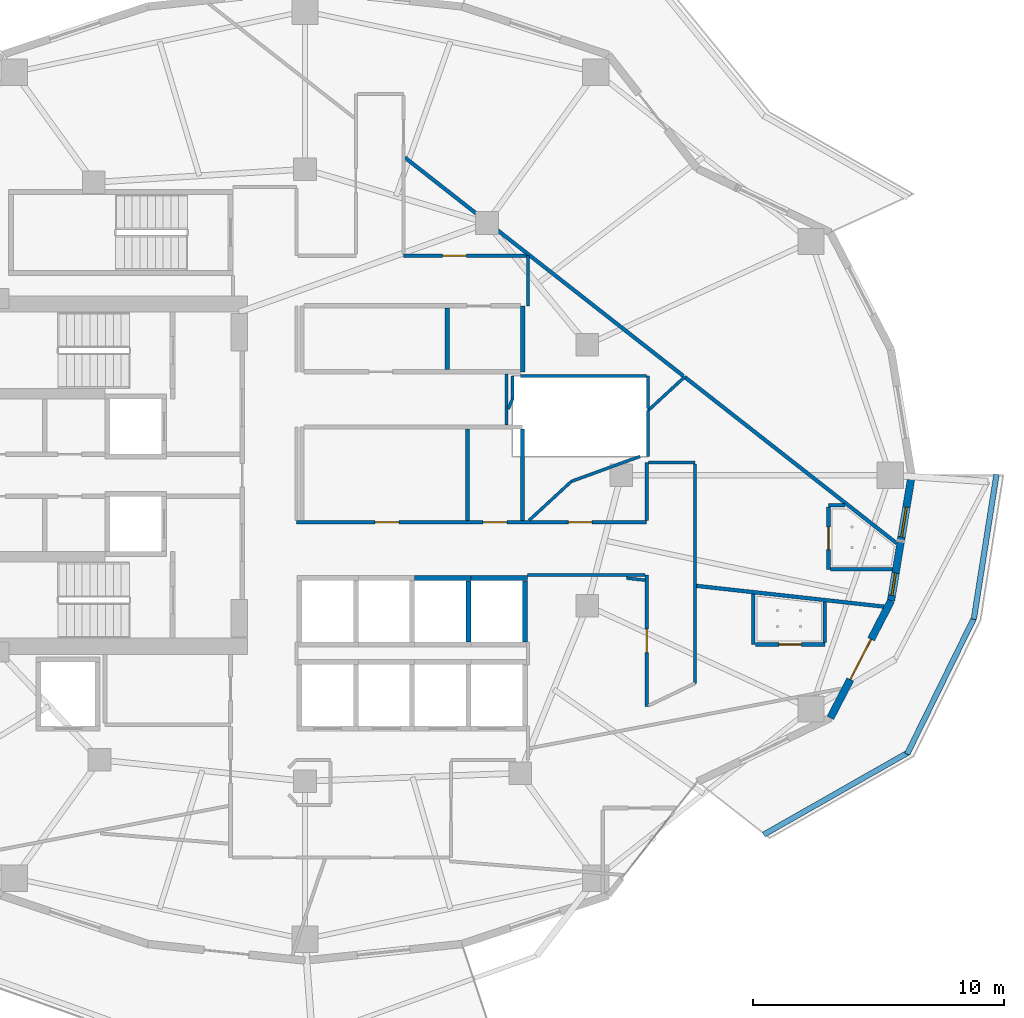
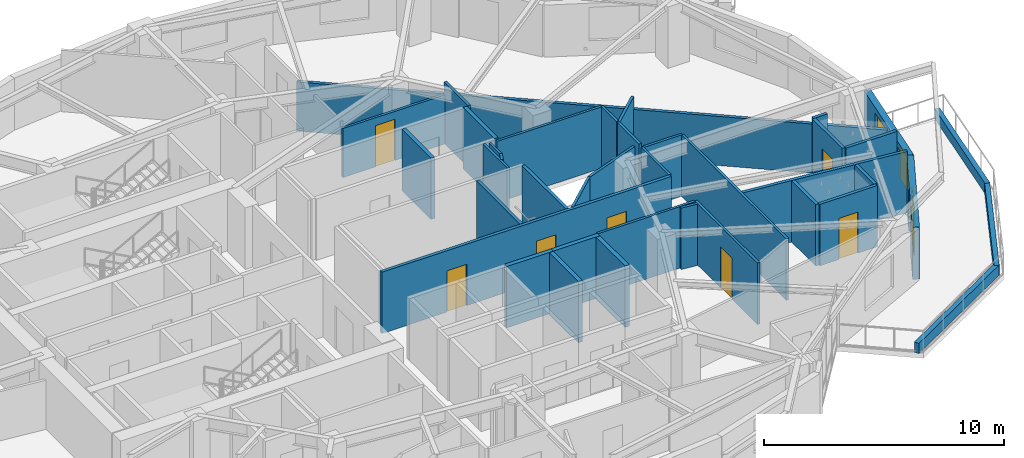
# One storey, part 10 of 18: 40 walls, 8 doors, 2 windows, 10 openings.
"""IFC4 building model written with IfcOpenShell, lengths in metres."""

from ifc_helpers import new_model, si_unit, direction, frame, frame_2d, origin, place, context, subcontext, project, spatial, rectangle, extrude, material, layer, layer_set, type_object, element, fill, save


model = new_model("IFC4")

# Units and contexts
model_context = context("Model", 3, precision=1e-05, world=origin(), true_north=direction((0.0, 1.0)))
body_context = subcontext(model_context, "Body", "Model", "MODEL_VIEW")
ifc_project = project(units=[si_unit("LENGTHUNIT", "METRE"), si_unit("AREAUNIT", "SQUARE_METRE"), si_unit("VOLUMEUNIT", "CUBIC_METRE"), si_unit("PLANEANGLEUNIT", "RADIAN"), si_unit("MASSUNIT", "GRAM", prefix="KILO")], contexts=[model_context])

# Site, building, storey
site_placement = place(None, origin())
site = spatial("IfcSite", under=ifc_project, at=site_placement, CompositionType="ELEMENT")
building_placement = place(site_placement, origin())
building = spatial("IfcBuilding", under=site, at=building_placement, Name="Kolvaren Gate Tower and Convention Centre", CompositionType="ELEMENT")
storey_placement = place(building_placement, frame((0.0, 0.0, 115.5)))
storey = spatial("IfcBuildingStorey", under=building, at=storey_placement, Name="L28", CompositionType="ELEMENT", Elevation=115.5)

# Walls
ifc_material_1 = material(Name="Autoclaved Aerated Masonry Blockwork Class 4 (4.0 MPa)", Category="masonry")
ifc_layer_1 = layer(ifc_material_1, 0.179931640625)
ifc_layer_set_1 = layer_set([ifc_layer_1], Name="Autoclaved Aerated Masonry Blockwork Class 4 (4.0 MPa)")
wall_type_1 = type_object("IfcWallType", Name="ARCH-WL-COMP-180", PredefinedType="SOLIDWALL", material=ifc_layer_set_1)
wall_1_placement = place(storey_placement, frame((38.800048828125, 31.1201171875, 0.0), z_axis=(0.0, 0.0, 1.0), x_axis=(0.0, 1.0, 0.0)))
element("IfcWall", 1, at=wall_1_placement, inside=storey, type_object=wall_type_1, Name="Interior Partition WL-L28-INT-018", PredefinedType="SOLIDWALL", context=body_context, shape_type="SweptSolid", body=[
    extrude(rectangle(XDim=2.6298828125, YDim=0.179931640625, at=frame_2d((1.31494140625, 0.0))), origin(), (0.0, 0.0, 1.0), 3.1298828125),
])
wall_2_placement = place(storey_placement, frame((35.800048828125, 31.2119140625, 0.0), z_axis=(0.0, 0.0, 1.0), x_axis=(0.0, 1.0, 0.0)))
element("IfcWall", 2, at=wall_2_placement, inside=storey, type_object=wall_type_1, Name="Interior Partition WL-L28-INT-021", PredefinedType="SOLIDWALL", context=body_context, shape_type="SweptSolid", body=[
    extrude(rectangle(XDim=2.446044921875, YDim=0.179931640625, at=frame_2d((1.22314453125, 0.0))), origin(), (0.0, 0.0, 1.0), 3.1298828125),
])
ifc_material_2 = material(Name="Fire-Rated Acoustic Gypsum Stud Partition", Category="gypsum")
ifc_layer_2 = layer(ifc_material_2, 0.1201171875)
ifc_layer_set_2 = layer_set([ifc_layer_2], Name="Fire-Rated Acoustic Gypsum Stud Partition")
wall_type_2 = type_object("IfcWallType", Name="ARCH-WL-PART-120", PredefinedType="PARTITIONING", material=ifc_layer_set_2)
wall_3_placement = place(storey_placement, frame((39.02001953125, 33.75, 0.0), z_axis=(0.0, 0.0, 1.0), x_axis=(0.0, 1.0, 0.0)))
element("IfcWall", 3, at=wall_3_placement, inside=storey, type_object=wall_type_2, Name="Interior Partition WL-L28-INT-023", PredefinedType="PARTITIONING", context=body_context, shape_type="SweptSolid", body=[
    extrude(rectangle(XDim=2.0, YDim=0.1201171875, at=frame_2d((1.0, 0.0))), origin(), (0.0, 0.0, 1.0), 3.1298828125),
])

# Wall, opening, door
wall_4_placement = place(storey_placement, frame((34.050048828125, 35.75, 0.0), z_axis=(0.0, 0.0, 1.0), x_axis=(1.0, 0.0, 0.0)))
wall_4 = element("IfcWall", 4, at=wall_4_placement, inside=storey, type_object=wall_type_2, Name="Interior Partition WL-L28-INT-035", PredefinedType="PARTITIONING", context=body_context, shape_type="SweptSolid", body=[
    extrude(rectangle(XDim=4.907958984375, YDim=0.1201171875, at=frame_2d((2.4541015625, 0.0))), origin(), (0.0, 0.0, 1.0), 2.5048828125),
])
opening_1_placement = place(wall_4_placement, frame((1.55908203125, 0.0, 0.0)))
opening_1 = element("IfcOpeningElement", 5, at=opening_1_placement, cuts=wall_4, Name="Opening DR-01", PredefinedType="OPENING", context=body_context, shape_type="SweptSolid", body=[
    extrude(rectangle(XDim=0.949951171875, YDim=2.10009765625, at=frame_2d((0.47509765625, 1.050048828125))), frame((0.0, 0.070068359375, 0.0), z_axis=(0.0, -1.0, 0.0), x_axis=(1.0, 0.0, 0.0)), (0.0, 0.0, 1.0), 0.14013671875),
])
ifc_material_3 = material(Name="Painted Architectural Steelwork ASTM A500 Grade C 345 MPa", Category="steel")
door_type_1 = type_object("IfcDoorType", Name="ARCH-DR-RISER-950", OperationType="SINGLE_SWING_RIGHT", PredefinedType="DOOR", material=ifc_material_3)
door_1_placement = place(opening_1_placement, origin())
door_1 = element("IfcDoor", 6, at=door_1_placement, inside=storey, type_object=door_type_1, Name="Hotel Botanical Clubroom Door", OperationType="SINGLE_SWING_RIGHT", OverallHeight=2.10009765625, OverallWidth=0.949951171875, PredefinedType="DOOR", context=body_context, shape_type="SweptSolid", body=[
    extrude(rectangle(XDim=0.949951171875, YDim=2.10009765625, at=frame_2d((0.47509765625, 1.050048828125))), frame((0.0, 0.02490234375, 0.0), z_axis=(0.0, -1.0, 0.0), x_axis=(1.0, 0.0, 0.0)), (0.0, 0.0, 1.0), 0.050048828125),
])
fill(opening_1, door_1)

# Wall
wall_5_placement = place(storey_placement, frame((38.159912109375, 28.9970703125, 0.0), z_axis=(0.0, 0.0, 1.0), x_axis=(0.0, 1.0, 0.0)))
element("IfcWall", 7, at=wall_5_placement, inside=storey, type_object=wall_type_2, Name="Interior Partition WL-L28-INT-039", PredefinedType="PARTITIONING", context=body_context, shape_type="SweptSolid", body=[
    extrude(rectangle(XDim=2.031005859375, YDim=0.1201171875, at=frame_2d((1.015625, 0.0))), origin(), (0.0, 0.0, 1.0), 3.1298828125),
])

# Wall, opening, door
wall_6_placement = place(storey_placement, frame((43.75, 17.779052734375, 0.0), z_axis=(0.0, 0.0, 1.0), x_axis=(0.0, 1.0, 0.0)))
wall_6 = element("IfcWall", 8, at=wall_6_placement, inside=storey, type_object=wall_type_2, Name="Interior Partition WL-L28-INT-040", PredefinedType="PARTITIONING", context=body_context, shape_type="SweptSolid", body=[
    extrude(rectangle(XDim=5.240966796875, YDim=0.1201171875, at=frame_2d((2.62060546875, 0.0))), origin(), (0.0, 0.0, 1.0), 3.1298828125),
])
opening_2_placement = place(wall_6_placement, frame((2.1455078125, 0.0, 0.0)))
opening_2 = element("IfcOpeningElement", 9, at=opening_2_placement, cuts=wall_6, Name="Opening DR-01", PredefinedType="OPENING", context=body_context, shape_type="SweptSolid", body=[
    extrude(rectangle(XDim=0.949951171875, YDim=2.10009765625, at=frame_2d((0.47509765625, 1.050048828125))), frame((0.0, 0.070068359375, 0.0), z_axis=(0.0, -1.0, 0.0), x_axis=(1.0, 0.0, 0.0)), (0.0, 0.0, 1.0), 0.14013671875),
])
door_2_placement = place(opening_2_placement, origin())
door_2 = element("IfcDoor", 10, at=door_2_placement, inside=storey, type_object=door_type_1, Name="Deluxe Hotel Suite (HTL-L28-05) Door", OperationType="SINGLE_SWING_RIGHT", OverallHeight=2.10009765625, OverallWidth=0.949951171875, PredefinedType="DOOR", context=body_context, shape_type="SweptSolid", body=[
    extrude(rectangle(XDim=0.949951171875, YDim=2.10009765625, at=frame_2d((0.47509765625, 1.050048828125))), frame((0.0, 0.02490234375, 0.0), z_axis=(0.0, -1.0, 0.0), x_axis=(1.0, 0.0, 0.0)), (0.0, 0.0, 1.0), 0.050048828125),
])
fill(opening_2, door_2)

# Walls
wall_7_placement = place(storey_placement, frame((43.75, 25.197021484375, 0.0), z_axis=(0.0, 0.0, 1.0), x_axis=(0.0, 1.0, 0.0)))
element("IfcWall", 11, at=wall_7_placement, inside=storey, type_object=wall_type_2, Name="Interior Partition WL-L28-INT-041", PredefinedType="PARTITIONING", context=body_context, shape_type="SweptSolid", body=[
    extrude(rectangle(XDim=2.31298828125, YDim=0.1201171875, at=frame_2d((1.156494140625, 0.0))), origin(), (0.0, 0.0, 1.0), 3.1298828125),
])
wall_8_placement = place(storey_placement, frame((43.81201171875, 27.510009765625, 0.0), z_axis=(0.0, 0.0, 1.0), x_axis=(1.0, 0.0, 0.0)))
element("IfcWall", 12, at=wall_8_placement, inside=storey, type_object=wall_type_2, Name="Interior Partition WL-L28-INT-042", PredefinedType="PARTITIONING", context=body_context, shape_type="SweptSolid", body=[
    extrude(rectangle(XDim=1.85791015625, YDim=0.1201171875, at=frame_2d((0.928955078125, 0.0))), origin(), (0.0, 0.0, 1.0), 3.1298828125),
])
wall_9_placement = place(storey_placement, frame((45.669921875, 18.700927734375, 0.0), z_axis=(0.0, 0.0, 1.0), x_axis=(0.0, 1.0, 0.0)))
element("IfcWall", 13, at=wall_9_placement, inside=storey, type_object=wall_type_2, Name="Interior Partition WL-L28-INT-043", PredefinedType="PARTITIONING", context=body_context, shape_type="SweptSolid", body=[
    extrude(rectangle(XDim=8.7470703125, YDim=0.1201171875, at=frame_2d((4.37353515625, 0.0))), origin(), (0.0, 0.0, 1.0), 3.1298828125),
])
wall_10_placement = place(storey_placement, frame((39.0, 23.02001953125, 0.0), z_axis=(0.0, 0.0, 1.0), x_axis=(1.0, 0.0, 0.0)))
element("IfcWall", 14, at=wall_10_placement, inside=storey, type_object=wall_type_2, Name="Interior Partition WL-L28-INT-045", PredefinedType="PARTITIONING", context=body_context, shape_type="SweptSolid", body=[
    extrude(rectangle(XDim=4.68798828125, YDim=0.1201171875, at=frame_2d((2.343994140625, 0.0))), origin(), (0.0, 0.0, 1.0), 3.1298828125),
])
wall_11_placement = place(storey_placement, frame((42.940673828125, 22.89794921875, 0.0), z_axis=(0.0, 0.0, 1.0), x_axis=(0.993923268999, -0.110075134986, 0.0)))
element("IfcWall", 15, at=wall_11_placement, inside=storey, type_object=wall_type_2, Name="Interior Partition WL-L28-INT-051", PredefinedType="PARTITIONING", context=body_context, shape_type="SweptSolid", body=[
    extrude(rectangle(XDim=0.751953125, YDim=0.1201171875, at=frame_2d((0.3759765625, 0.0))), origin(), (0.0, 0.0, 1.0), 3.1298828125),
])
wall_12_placement = place(storey_placement, frame((39.0576171875, 25.197021484375, 0.0), z_axis=(0.0, 0.0, 1.0), x_axis=(0.73497871786, 0.67809017416, 0.0)))
element("IfcWall", 16, at=wall_12_placement, inside=storey, type_object=wall_type_2, Name="Interior Partition WL-L28-INT-063", PredefinedType="PARTITIONING", context=body_context, shape_type="SweptSolid", body=[
    extrude(rectangle(XDim=2.2958984375, YDim=0.1201171875, at=frame_2d((1.14794921875, 0.0))), origin(), (0.0, 0.0, 1.0), 3.1298828125),
])
wall_13_placement = place(storey_placement, frame((43.80029296875, 29.57275390625, 0.0), z_axis=(0.0, 0.0, 1.0), x_axis=(0.734897778704, 0.678177893222, 0.0)))
element("IfcWall", 17, at=wall_13_placement, inside=storey, type_object=wall_type_2, Name="Interior Partition WL-L28-INT-064", PredefinedType="PARTITIONING", context=body_context, shape_type="SweptSolid", body=[
    extrude(rectangle(XDim=1.984375, YDim=0.1201171875, at=frame_2d((0.9921875, 0.0))), origin(), (0.0, 0.0, 1.0), 3.1298828125),
])
wall_14_placement = place(storey_placement, frame((40.7451171875, 26.75390625, 0.0), z_axis=(0.0, 0.0, 1.0), x_axis=(0.939656245212, 0.342120067862, 0.0)))
element("IfcWall", 18, at=wall_14_placement, inside=storey, type_object=wall_type_2, Name="Interior Partition WL-L28-INT-065", PredefinedType="PARTITIONING", context=body_context, shape_type="SweptSolid", body=[
    extrude(rectangle(XDim=2.91162109375, YDim=0.1201171875, at=frame_2d((1.455810546875, 0.0))), origin(), (0.0, 0.0, 1.0), 3.1298828125),
])
wall_15_placement = place(storey_placement, frame((43.800048828125, 27.75, 0.0), z_axis=(0.0, 0.0, 1.0), x_axis=(0.0, 1.0, 0.0)))
element("IfcWall", 19, at=wall_15_placement, inside=storey, type_object=wall_type_2, Name="Interior Partition WL-L28-INT-066", PredefinedType="PARTITIONING", context=body_context, shape_type="SweptSolid", body=[
    extrude(rectangle(XDim=1.822998046875, YDim=0.1201171875, at=frame_2d((0.91162109375, 0.0))), origin(), (0.0, 0.0, 1.0), 3.1298828125),
])
wall_16_placement = place(storey_placement, frame((43.800048828125, 29.656982421875, 0.0), z_axis=(0.0, 0.0, 1.0), x_axis=(0.0, 1.0, 0.0)))
element("IfcWall", 20, at=wall_16_placement, inside=storey, type_object=wall_type_2, Name="Interior Partition WL-L28-INT-066 (2)", PredefinedType="PARTITIONING", context=body_context, shape_type="SweptSolid", body=[
    extrude(rectangle(XDim=1.29296875, YDim=0.1201171875, at=frame_2d((0.646484375, 0.0))), origin(), (0.0, 0.0, 1.0), 3.1298828125),
])
wall_17_placement = place(storey_placement, frame((38.7080078125, 30.949951171875, 0.0), z_axis=(0.0, 0.0, 1.0), x_axis=(1.0, 0.0, 0.0)))
element("IfcWall", 21, at=wall_17_placement, inside=storey, type_object=wall_type_2, Name="Interior Partition WL-L28-INT-072", PredefinedType="PARTITIONING", context=body_context, shape_type="SweptSolid", body=[
    extrude(rectangle(XDim=5.030029296875, YDim=0.1201171875, at=frame_2d((2.51513671875, 0.0))), origin(), (0.0, 0.0, 1.0), 3.1298828125),
])
wall_18_placement = place(storey_placement, frame((38.39990234375, 30.041015625, 0.0), z_axis=(0.0, 0.0, 1.0), x_axis=(0.0, 1.0, 0.0)))
element("IfcWall", 22, at=wall_18_placement, inside=storey, type_object=wall_type_2, Name="Interior Partition WL-L28-INT-073", PredefinedType="PARTITIONING", context=body_context, shape_type="SweptSolid", body=[
    extrude(rectangle(XDim=0.908935546875, YDim=0.1201171875, at=frame_2d((0.45458984375, 0.0))), origin(), (0.0, 0.0, 1.0), 3.1298828125),
])
wall_19_placement = place(storey_placement, frame((38.221923828125, 29.64111328125, 0.0), z_axis=(0.0, 0.0, 1.0), x_axis=(0.406604168362, 0.913604427677, 0.0)))
element("IfcWall", 23, at=wall_19_placement, inside=storey, type_object=wall_type_2, Name="Interior Partition WL-L28-INT-074", PredefinedType="PARTITIONING", context=body_context, shape_type="SweptSolid", body=[
    extrude(rectangle(XDim=0.437744140625, YDim=0.1201171875, at=frame_2d((0.21875, 0.0))), origin(), (0.0, 0.0, 1.0), 3.1298828125),
])
ifc_material_4 = material(Name="Piedmont Cream Honed Limestone Cladding", Category="masonry")
ifc_layer_3 = layer(ifc_material_4, 0.219970703125)
ifc_layer_set_3 = layer_set([ifc_layer_3], Name="Piedmont Cream Honed Limestone Cladding")
wall_type_3 = type_object("IfcWallType", Name="ARCH-WL-PLANTER-220", PredefinedType="PARAPET", material=ifc_layer_set_3)
wall_20_placement = place(storey_placement, frame((48.41259765625, 12.667724609375, 0.0), z_axis=(0.0, 0.0, 1.0), x_axis=(0.869187658335, 0.494482370361, 0.0)))
element("IfcWall", 24, at=wall_20_placement, inside=storey, type_object=wall_type_3, Name="Vertical-Forest Balcony Stone Planter Kerb PK-L28-4.1", PredefinedType="PARAPET", context=body_context, shape_type="SweptSolid", body=[
    extrude(rectangle(XDim=6.606201171875, YDim=0.219970703125, at=frame_2d((3.30322265625, 0.0))), origin(), (0.0, 0.0, 1.0), 0.52001953125),
])
wall_21_placement = place(storey_placement, frame((54.12890625, 15.87841796875, 0.0), z_axis=(0.0, 0.0, 1.0), x_axis=(0.441269631716, 0.897374566235, 0.0)))
element("IfcWall", 25, at=wall_21_placement, inside=storey, type_object=wall_type_3, Name="Vertical-Forest Balcony Stone Planter Kerb PK-L28-4.2", PredefinedType="PARAPET", context=body_context, shape_type="SweptSolid", body=[
    extrude(rectangle(XDim=6.05615234375, YDim=0.219970703125, at=frame_2d((3.028076171875, 0.0))), origin(), (0.0, 0.0, 1.0), 0.52001953125),
])
wall_22_placement = place(storey_placement, frame((56.78857421875, 21.254150390625, 0.0), z_axis=(0.0, 0.0, 1.0), x_axis=(0.154903030247, 0.987929679289, 0.0)))
element("IfcWall", 26, at=wall_22_placement, inside=storey, type_object=wall_type_3, Name="Vertical-Forest Balcony Stone Planter Kerb PK-L28-4.3", PredefinedType="PARAPET", context=body_context, shape_type="SweptSolid", body=[
    extrude(rectangle(XDim=5.845703125, YDim=0.219970703125, at=frame_2d((2.9228515625, 0.0))), origin(), (0.0, 0.0, 1.0), 0.52001953125),
])
ifc_layer_4 = layer(ifc_material_1, 0.199951171875)
ifc_layer_set_4 = layer_set([ifc_layer_4], Name="Autoclaved Aerated Masonry Blockwork Class 4 (4.0 MPa)")
wall_type_4 = type_object("IfcWallType", Name="ARCH-WL-SHAFT-200", PredefinedType="SOLIDWALL", material=ifc_layer_set_4)
wall_23_placement = place(storey_placement, frame((34.5, 22.89990234375, 0.0), z_axis=(0.0, 0.0, 1.0), x_axis=(1.0, 0.0, 0.0)))
element("IfcWall", 27, at=wall_23_placement, inside=storey, type_object=wall_type_4, Name="Elevator PL-11 L28 Fire Shaft Wall N", PredefinedType="SOLIDWALL", context=body_context, shape_type="SweptSolid", body=[
    extrude(rectangle(XDim=2.25, YDim=0.199951171875, at=frame_2d((1.125, 0.0))), origin(), (0.0, 0.0, 1.0), 3.1298828125),
])
wall_24_placement = place(storey_placement, frame((36.64990234375, 20.360107421875, 0.0), z_axis=(0.0, 0.0, 1.0), x_axis=(0.0, 1.0, 0.0)))
element("IfcWall", 28, at=wall_24_placement, inside=storey, type_object=wall_type_4, Name="Elevator PL-11 L28 Fire Shaft Wall E", PredefinedType="SOLIDWALL", context=body_context, shape_type="SweptSolid", body=[
    extrude(rectangle(XDim=2.429931640625, YDim=0.199951171875, at=frame_2d((1.21484375, 0.0))), origin(), (0.0, 0.0, 1.0), 3.1298828125),
])
wall_25_placement = place(storey_placement, frame((36.75, 22.89990234375, 0.0), z_axis=(0.0, 0.0, 1.0), x_axis=(1.0, 0.0, 0.0)))
element("IfcWall", 29, at=wall_25_placement, inside=storey, type_object=wall_type_4, Name="Elevator PL-12 L28 Fire Shaft Wall N", PredefinedType="SOLIDWALL", context=body_context, shape_type="SweptSolid", body=[
    extrude(rectangle(XDim=2.25, YDim=0.199951171875, at=frame_2d((1.125, 0.0))), origin(), (0.0, 0.0, 1.0), 3.1298828125),
])
wall_26_placement = place(storey_placement, frame((38.89990234375, 20.360107421875, 0.0), z_axis=(0.0, 0.0, 1.0), x_axis=(0.0, 1.0, 0.0)))
element("IfcWall", 30, at=wall_26_placement, inside=storey, type_object=wall_type_4, Name="Elevator PL-12 L28 Fire Shaft Wall E", PredefinedType="SOLIDWALL", context=body_context, shape_type="SweptSolid", body=[
    extrude(rectangle(XDim=2.429931640625, YDim=0.199951171875, at=frame_2d((1.21484375, 0.0))), origin(), (0.0, 0.0, 1.0), 3.1298828125),
])

# Wall, opening, door
ifc_layer_5 = layer(ifc_material_4, 0.300048828125)
ifc_layer_set_5 = layer_set([ifc_layer_5], Name="Piedmont Cream Honed Limestone Cladding")
wall_type_5 = type_object("IfcWallType", Name="ARCH-WL-STONE-300", PredefinedType="SOLIDWALL", material=ifc_layer_set_5)
wall_27_placement = place(storey_placement, frame((51.072021484375, 17.324951171875, 0.0), z_axis=(0.0, 0.0, 1.0), x_axis=(0.459767899643, 0.888039119892, 0.0)))
wall_27 = element("IfcWall", 31, at=wall_27_placement, inside=storey, type_object=wall_type_5, Name="Tower L28 Honed Stone Spandrel Wall EW-22", PredefinedType="SOLIDWALL", context=body_context, shape_type="SweptSolid", body=[
    extrude(rectangle(XDim=5.25537109375, YDim=0.300048828125, at=frame_2d((2.627685546875, 0.0))), origin(), (0.0, 0.0, 1.0), 2.653076171875),
])
opening_3_placement = place(wall_27_placement, frame((1.72802734375, 0.0, 0.0)))
opening_3 = element("IfcOpeningElement", 32, at=opening_3_placement, cuts=wall_27, Name="Opening DB-01", PredefinedType="OPENING", context=body_context, shape_type="SweptSolid", body=[
    extrude(rectangle(XDim=1.800048828125, YDim=2.25, at=frame_2d((0.89990234375, 1.125))), frame((0.0, 0.159912109375, 0.0), z_axis=(0.0, -1.0, 0.0), x_axis=(1.0, 0.0, 0.0)), (0.0, 0.0, 1.0), 0.320068359375),
])
ifc_material_5 = material(Name="Anodized Architectural Aluminium Alloy 6063-T6", Category="aluminium")
door_type_2 = type_object("IfcDoorType", Name="ARCH-DR-BALC-1800", OperationType="SLIDING_TO_LEFT", PredefinedType="DOOR", material=ifc_material_5)
door_3_placement = place(opening_3_placement, frame((1.800048828125, 0.0, 0.0), z_axis=(0.0, 0.0, 1.0), x_axis=(-1.0, 0.0, 0.0)))
door_3 = element("IfcDoor", 33, at=door_3_placement, inside=storey, type_object=door_type_2, Name="Planted Sky Terrace Access Door DB-L28-22", OperationType="SLIDING_TO_LEFT", OverallHeight=2.25, OverallWidth=1.800048828125, PredefinedType="DOOR", context=body_context, shape_type="SweptSolid", body=[
    extrude(rectangle(XDim=1.800048828125, YDim=2.25, at=frame_2d((0.89990234375, 1.125))), frame((0.0, 0.02490234375, 0.0), z_axis=(0.0, -1.0, 0.0), x_axis=(1.0, 0.0, 0.0)), (0.0, 0.0, 1.0), 0.050048828125),
])
fill(opening_3, door_3)

# Wall, openings, windows
wall_28_placement = place(storey_placement, frame((53.48828125, 21.991943359375, 0.0), z_axis=(0.0, 0.0, 1.0), x_axis=(0.162393944769, 0.986726003864, 0.0)))
wall_28 = element("IfcWall", 34, at=wall_28_placement, inside=storey, type_object=wall_type_5, Name="Tower L28 Honed Stone Spandrel Wall EW-23", PredefinedType="SOLIDWALL", context=body_context, shape_type="SweptSolid", body=[
    extrude(rectangle(XDim=5.075439453125, YDim=0.300048828125, at=frame_2d((2.53759765625, 0.0))), origin(), (0.0, 0.0, 1.0), 2.653076171875),
])
opening_4_placement = place(wall_28_placement, frame((2.580078125, 0.0, 0.719970703125)))
opening_4 = element("IfcOpeningElement", 35, at=opening_4_placement, cuts=wall_28, Name="Opening W-04", PredefinedType="OPENING", context=body_context, shape_type="SweptSolid", body=[
    extrude(rectangle(XDim=1.199951171875, YDim=1.64990234375, at=frame_2d((0.60009765625, 0.824951171875))), frame((0.0, 0.159912109375, 0.0), z_axis=(0.0, -1.0, 0.0), x_axis=(1.0, 0.0, 0.0)), (0.0, 0.0, 1.0), 0.320068359375),
])
opening_5_placement = place(wall_28_placement, frame((0.219970703125, 0.0, 0.719970703125)))
opening_5 = element("IfcOpeningElement", 36, at=opening_5_placement, cuts=wall_28, Name="Opening W-06", PredefinedType="OPENING", context=body_context, shape_type="SweptSolid", body=[
    extrude(rectangle(XDim=0.89990234375, YDim=1.64990234375, at=frame_2d((0.449951171875, 0.824951171875))), frame((0.0, 0.159912109375, 0.0), z_axis=(0.0, -1.0, 0.0), x_axis=(1.0, 0.0, 0.0)), (0.0, 0.0, 1.0), 0.320068359375),
])
ifc_material_6 = material(Name="Low-E Triple Insulated Glazing Unit 44 mm", Category="glass")
window_type_1 = type_object("IfcWindowType", Name="ARCH-WN-NARROW-1200", PartitioningType="SINGLE_PANEL", PredefinedType="WINDOW", material=ifc_material_6)
window_1_placement = place(opening_4_placement, origin())
window_1 = element("IfcWindow", 37, at=window_1_placement, inside=storey, type_object=window_type_1, Name="Tower L28 Punched Stone Facade Window W-23", OverallHeight=1.64990234375, OverallWidth=1.199951171875, PartitioningType="SINGLE_PANEL", PredefinedType="WINDOW", context=body_context, shape_type="SweptSolid", body=[
    extrude(rectangle(XDim=1.199951171875, YDim=1.64990234375, at=frame_2d((0.60009765625, 0.824951171875))), frame((0.0, 0.030029296875, 0.0), z_axis=(0.0, -1.0, 0.0), x_axis=(1.0, 0.0, 0.0)), (0.0, 0.0, 1.0), 0.06005859375),
])
fill(opening_4, window_1)
window_type_2 = type_object("IfcWindowType", Name="ARCH-WN-PUNCH-900", PartitioningType="SINGLE_PANEL", PredefinedType="WINDOW", material=ifc_material_6)
window_2_placement = place(opening_5_placement, origin())
window_2 = element("IfcWindow", 38, at=window_2_placement, inside=storey, type_object=window_type_2, Name="Tower L28 Dwelling Daylight Window DW-01", OverallHeight=1.64990234375, OverallWidth=0.89990234375, PartitioningType="SINGLE_PANEL", PredefinedType="WINDOW", context=body_context, shape_type="SweptSolid", body=[
    extrude(rectangle(XDim=0.89990234375, YDim=1.64990234375, at=frame_2d((0.449951171875, 0.824951171875))), frame((0.0, 0.030029296875, 0.0), z_axis=(0.0, -1.0, 0.0), x_axis=(1.0, 0.0, 0.0)), (0.0, 0.0, 1.0), 0.06005859375),
])
fill(opening_5, window_2)

# Wall, openings, doors
ifc_material_7 = material(Name="Moisture-Resistant Cement-Board Acoustic Partition", Category="gypsum")
ifc_layer_6 = layer(ifc_material_7, 0.14990234375)
ifc_layer_set_6 = layer_set([ifc_layer_6], Name="Moisture-Resistant Cement-Board Acoustic Partition")
wall_type_6 = type_object("IfcWallType", Name="ARCH-WL-WET-150", PredefinedType="PARTITIONING", material=ifc_layer_set_6)
wall_29_placement = place(storey_placement, frame((29.780029296875, 25.1201171875, 0.0), z_axis=(0.0, 0.0, 1.0), x_axis=(1.0, 0.0, 0.0)))
wall_29 = element("IfcWall", 39, at=wall_29_placement, inside=storey, type_object=wall_type_6, Name="Interior Partition WL-L28-INT-012", PredefinedType="PARTITIONING", context=body_context, shape_type="SweptSolid", body=[
    extrude(rectangle(XDim=13.969970703125, YDim=0.14990234375, at=frame_2d((6.98486328125, 0.0))), origin(), (0.0, 0.0, 1.0), 3.1298828125),
])
opening_6_placement = place(wall_29_placement, frame((3.139892578125, 0.0, 0.0)))
opening_6 = element("IfcOpeningElement", 40, at=opening_6_placement, cuts=wall_29, Name="Opening DR-01", PredefinedType="OPENING", context=body_context, shape_type="SweptSolid", body=[
    extrude(rectangle(XDim=0.949951171875, YDim=2.10009765625, at=frame_2d((0.47509765625, 1.050048828125))), frame((0.0, 0.0849609375, 0.0), z_axis=(0.0, -1.0, 0.0), x_axis=(1.0, 0.0, 0.0)), (0.0, 0.0, 1.0), 0.169921875),
])
opening_7_placement = place(wall_29_placement, frame((7.445068359375, 0.0, 0.0)))
opening_7 = element("IfcOpeningElement", 41, at=opening_7_placement, cuts=wall_29, Name="Opening DR-01", PredefinedType="OPENING", context=body_context, shape_type="SweptSolid", body=[
    extrude(rectangle(XDim=0.949951171875, YDim=2.10009765625, at=frame_2d((0.47509765625, 1.050048828125))), frame((0.0, 0.0849609375, 0.0), z_axis=(0.0, -1.0, 0.0), x_axis=(1.0, 0.0, 0.0)), (0.0, 0.0, 1.0), 0.169921875),
])
opening_8_placement = place(wall_29_placement, frame((10.844970703125, 0.0, 0.0)))
opening_8 = element("IfcOpeningElement", 42, at=opening_8_placement, cuts=wall_29, Name="Opening DR-01", PredefinedType="OPENING", context=body_context, shape_type="SweptSolid", body=[
    extrude(rectangle(XDim=0.949951171875, YDim=2.10009765625, at=frame_2d((0.47509765625, 1.050048828125))), frame((0.0, 0.0849609375, 0.0), z_axis=(0.0, -1.0, 0.0), x_axis=(1.0, 0.0, 0.0)), (0.0, 0.0, 1.0), 0.169921875),
])
door_4_placement = place(opening_6_placement, origin())
door_4 = element("IfcDoor", 43, at=door_4_placement, inside=storey, type_object=door_type_1, Name="Accessible Universal Washroom Door", OperationType="SINGLE_SWING_RIGHT", OverallHeight=2.10009765625, OverallWidth=0.949951171875, PredefinedType="DOOR", context=body_context, shape_type="SweptSolid", body=[
    extrude(rectangle(XDim=0.949951171875, YDim=2.10009765625, at=frame_2d((0.47509765625, 1.050048828125))), frame((0.0, 0.02490234375, 0.0), z_axis=(0.0, -1.0, 0.0), x_axis=(1.0, 0.0, 0.0)), (0.0, 0.0, 1.0), 0.050048828125),
])
fill(opening_6, door_4)
door_5_placement = place(opening_7_placement, origin())
door_5 = element("IfcDoor", 44, at=door_5_placement, inside=storey, type_object=door_type_1, Name="Hotel Housekeeping and Linen Store Door", OperationType="SINGLE_SWING_LEFT", OverallHeight=2.10009765625, OverallWidth=0.949951171875, PredefinedType="DOOR", context=body_context, shape_type="SweptSolid", body=[
    extrude(rectangle(XDim=0.949951171875, YDim=2.10009765625, at=frame_2d((0.47509765625, 1.050048828125))), frame((0.0, 0.02490234375, 0.0), z_axis=(0.0, -1.0, 0.0), x_axis=(1.0, 0.0, 0.0)), (0.0, 0.0, 1.0), 0.050048828125),
])
fill(opening_7, door_5)
door_6_placement = place(opening_8_placement, origin())
door_6 = element("IfcDoor", 45, at=door_6_placement, inside=storey, type_object=door_type_1, Name="Deluxe Hotel Suite (HTL-L28-06) Door", OperationType="SINGLE_SWING_LEFT", OverallHeight=2.10009765625, OverallWidth=0.949951171875, PredefinedType="DOOR", context=body_context, shape_type="SweptSolid", body=[
    extrude(rectangle(XDim=0.949951171875, YDim=2.10009765625, at=frame_2d((0.47509765625, 1.050048828125))), frame((0.0, 0.02490234375, 0.0), z_axis=(0.0, -1.0, 0.0), x_axis=(1.0, 0.0, 0.0)), (0.0, 0.0, 1.0), 0.050048828125),
])
fill(opening_8, door_6)

# Walls
for number, where, z_axis, x_axis, name in (
    (46, (36.60009765625, 25.197021484375, 0.0), (0.0, 0.0, 1.0), (0.0, 1.0, 0.0), "Interior Partition WL-L28-INT-016"),
    (47, (38.800048828125, 25.197021484375, 0.0), (0.0, 0.0, 1.0), (0.0, 1.0, 0.0), "Interior Partition WL-L28-INT-017"),
):
    element("IfcWall", number, at=place(storey_placement, frame(where, z_axis=z_axis, x_axis=x_axis)), inside=storey, type_object=wall_type_6, Name=name, PredefinedType="PARTITIONING", context=body_context, shape_type="SweptSolid", body=[
        extrude(rectangle(XDim=3.64599609375, YDim=0.14990234375, at=frame_2d((1.822998046875, 0.0))), origin(), (0.0, 0.0, 1.0), 3.1298828125),
    ])
wall_30_placement = place(storey_placement, frame((45.73193359375, 22.5888671875, 0.0), z_axis=(0.0, 0.0, 1.0), x_axis=(0.993915007742, -0.110149704422, 0.0)))
element("IfcWall", 48, at=wall_30_placement, inside=storey, type_object=wall_type_6, Name="Interior Partition WL-L28-INT-052", PredefinedType="PARTITIONING", context=body_context, shape_type="SweptSolid", body=[
    extrude(rectangle(XDim=7.511474609375, YDim=0.14990234375, at=frame_2d((3.755859375, 0.0))), origin(), (0.0, 0.0, 1.0), 3.1298828125),
])
wall_31_placement = place(storey_placement, frame((48.0, 20.25, 0.0), z_axis=(0.0, 0.0, 1.0), x_axis=(0.0, 1.0, 0.0)))
element("IfcWall", 49, at=wall_31_placement, inside=storey, type_object=wall_type_6, Name="Interior Partition WL-L28-INT-060", PredefinedType="PARTITIONING", context=body_context, shape_type="SweptSolid", body=[
    extrude(rectangle(XDim=2.010009765625, YDim=0.14990234375, at=frame_2d((1.0048828125, 0.0))), origin(), (0.0, 0.0, 1.0), 3.1298828125),
])

# Wall, opening, door
wall_32_placement = place(storey_placement, frame((48.076904296875, 20.25, 0.0), z_axis=(0.0, 0.0, 1.0), x_axis=(1.0, 0.0, 0.0)))
wall_32 = element("IfcWall", 50, at=wall_32_placement, inside=storey, type_object=wall_type_6, Name="Interior Partition WL-L28-INT-061", PredefinedType="PARTITIONING", context=body_context, shape_type="SweptSolid", body=[
    extrude(rectangle(XDim=2.773193359375, YDim=0.14990234375, at=frame_2d((1.38671875, 0.0))), origin(), (0.0, 0.0, 1.0), 3.1298828125),
])
opening_9_placement = place(wall_32_placement, frame((0.9365234375, 0.0, 0.0)))
opening_9 = element("IfcOpeningElement", 51, at=opening_9_placement, cuts=wall_32, Name="Opening DW-01", PredefinedType="OPENING", context=body_context, shape_type="SweptSolid", body=[
    extrude(rectangle(XDim=0.89990234375, YDim=2.10009765625, at=frame_2d((0.449951171875, 1.050048828125))), frame((0.0, 0.0849609375, 0.0), z_axis=(0.0, -1.0, 0.0), x_axis=(1.0, 0.0, 0.0)), (0.0, 0.0, 1.0), 0.169921875),
])
ifc_material_8 = material(Name="FSC Andean Oak Engineered Veneer Door Leaf", Category="wood")
door_type_3 = type_object("IfcDoorType", Name="ARCH-DR-WC-900", OperationType="SINGLE_SWING_RIGHT", PredefinedType="DOOR", material=ifc_material_8)
door_7_placement = place(opening_9_placement, origin())
door_7 = element("IfcDoor", 52, at=door_7_placement, inside=storey, type_object=door_type_3, Name="En-suite Bathroom (HTL-L28-05) Door", OperationType="SINGLE_SWING_RIGHT", OverallHeight=2.10009765625, OverallWidth=0.89990234375, PredefinedType="DOOR", context=body_context, shape_type="SweptSolid", body=[
    extrude(rectangle(XDim=0.89990234375, YDim=2.10009765625, at=frame_2d((0.449951171875, 1.050048828125))), frame((0.0, 0.02490234375, 0.0), z_axis=(0.0, -1.0, 0.0), x_axis=(1.0, 0.0, 0.0)), (0.0, 0.0, 1.0), 0.050048828125),
])
fill(opening_9, door_7)

# Walls
wall_33_placement = place(storey_placement, frame((50.85009765625, 20.326904296875, 0.0), z_axis=(0.0, 0.0, 1.0), x_axis=(0.0, 1.0, 0.0)))
element("IfcWall", 53, at=wall_33_placement, inside=storey, type_object=wall_type_6, Name="Interior Partition WL-L28-INT-062", PredefinedType="PARTITIONING", context=body_context, shape_type="SweptSolid", body=[
    extrude(rectangle(XDim=1.6171875, YDim=0.14990234375, at=frame_2d((0.80859375, 0.0))), origin(), (0.0, 0.0, 1.0), 3.1298828125),
])
wall_34_placement = place(storey_placement, frame((34.112060546875, 39.66064453125, 0.0), z_axis=(0.0, 0.0, 1.0), x_axis=(0.786863471843, -0.617127115495, 0.0)))
element("IfcWall", 54, at=wall_34_placement, inside=storey, type_object=wall_type_6, Name="Interior Partition WL-L28-INT-068", PredefinedType="PARTITIONING", context=body_context, shape_type="SweptSolid", body=[
    extrude(rectangle(XDim=14.10302734375, YDim=0.14990234375, at=frame_2d((7.051513671875, 0.0))), origin(), (0.0, 0.0, 1.0), 2.5048828125),
])
wall_35_placement = place(storey_placement, frame((45.25830078125, 30.918701171875, 0.0), z_axis=(0.0, 0.0, 1.0), x_axis=(0.786869212034, -0.617119796436, 0.0)))
element("IfcWall", 55, at=wall_35_placement, inside=storey, type_object=wall_type_6, Name="Interior Partition WL-L28-INT-068 (2)", PredefinedType="PARTITIONING", context=body_context, shape_type="SweptSolid", body=[
    extrude(rectangle(XDim=10.74365234375, YDim=0.14990234375, at=frame_2d((5.371826171875, 0.0))), origin(), (0.0, 0.0, 1.0), 2.5048828125),
])
wall_36_placement = place(storey_placement, frame((51.0, 25.800048828125, 0.0), z_axis=(0.0, 0.0, 1.0), x_axis=(1.0, 0.0, 0.0)))
element("IfcWall", 56, at=wall_36_placement, inside=storey, type_object=wall_type_6, Name="Interior Partition WL-L28-INT-069", PredefinedType="PARTITIONING", context=body_context, shape_type="SweptSolid", body=[
    extrude(rectangle(XDim=0.66015625, YDim=0.14990234375, at=frame_2d((0.330078125, 0.0))), origin(), (0.0, 0.0, 1.0), 3.1298828125),
])

# Wall, opening, door
wall_37_placement = place(storey_placement, frame((51.0, 23.25, 0.0), z_axis=(0.0, 0.0, 1.0), x_axis=(0.0, 1.0, 0.0)))
wall_37 = element("IfcWall", 57, at=wall_37_placement, inside=storey, type_object=wall_type_6, Name="Interior Partition WL-L28-INT-070", PredefinedType="PARTITIONING", context=body_context, shape_type="SweptSolid", body=[
    extrude(rectangle(XDim=2.472900390625, YDim=0.14990234375, at=frame_2d((1.236328125, 0.0))), origin(), (0.0, 0.0, 1.0), 3.1298828125),
])
opening_10_placement = place(wall_37_placement, frame((0.78662109375, 0.0, 0.0)))
opening_10 = element("IfcOpeningElement", 58, at=opening_10_placement, cuts=wall_37, Name="Opening DW-01", PredefinedType="OPENING", context=body_context, shape_type="SweptSolid", body=[
    extrude(rectangle(XDim=0.89990234375, YDim=2.10009765625, at=frame_2d((0.449951171875, 1.050048828125))), frame((0.0, 0.0849609375, 0.0), z_axis=(0.0, -1.0, 0.0), x_axis=(1.0, 0.0, 0.0)), (0.0, 0.0, 1.0), 0.169921875),
])
door_8_placement = place(opening_10_placement, origin())
door_8 = element("IfcDoor", 59, at=door_8_placement, inside=storey, type_object=door_type_3, Name="En-suite Bathroom (HTL-L28-06) Door", OperationType="SINGLE_SWING_LEFT", OverallHeight=2.10009765625, OverallWidth=0.89990234375, PredefinedType="DOOR", context=body_context, shape_type="SweptSolid", body=[
    extrude(rectangle(XDim=0.89990234375, YDim=2.10009765625, at=frame_2d((0.449951171875, 1.050048828125))), frame((0.0, 0.02490234375, 0.0), z_axis=(0.0, -1.0, 0.0), x_axis=(1.0, 0.0, 0.0)), (0.0, 0.0, 1.0), 0.050048828125),
])
fill(opening_10, door_8)

# Wall
wall_38_placement = place(storey_placement, frame((51.076904296875, 23.25, 0.0), z_axis=(0.0, 0.0, 1.0), x_axis=(1.0, 0.0, 0.0)))
element("IfcWall", 60, at=wall_38_placement, inside=storey, type_object=wall_type_6, Name="Interior Partition WL-L28-INT-071", PredefinedType="PARTITIONING", context=body_context, shape_type="SweptSolid", body=[
    extrude(rectangle(XDim=2.46435546875, YDim=0.14990234375, at=frame_2d((1.232177734375, 0.0))), origin(), (0.0, 0.0, 1.0), 3.1298828125),
])

save(model, "model.ifc")
